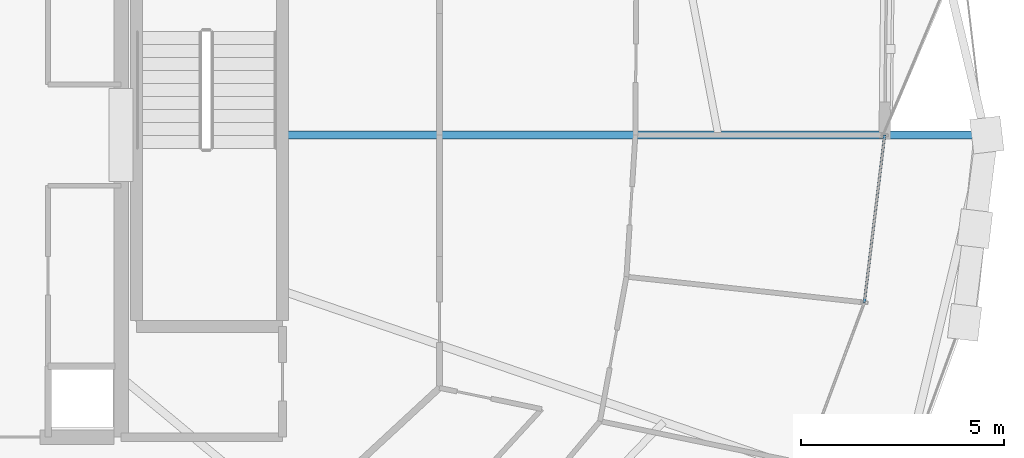
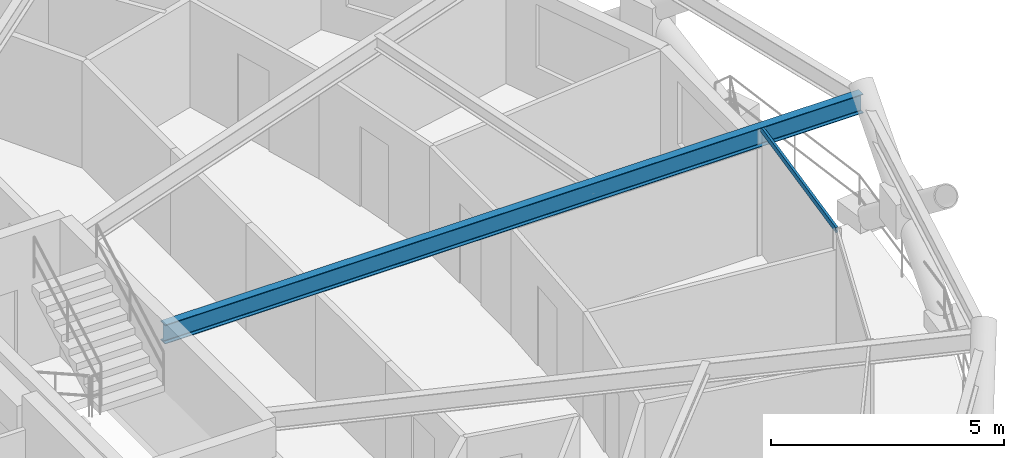
# One storey, part 9 of 20: 1 beam, 1 member, 1 element without a shape of its own.
"""IFC4 building model written with IfcOpenShell, lengths in metres."""

from ifc_helpers import new_model, si_unit, direction, frame, origin, origin_2d, place, context, subcontext, project, spatial, hollow_rectangle, i_section, extrude, material, layer, layer_set, material_profile, profile_set, type_object, element, aggregate, save


model = new_model("IFC4")

# Units and contexts
model_context = context("Model", 3, precision=1e-05, world=origin(), true_north=direction((0.0, 1.0)))
body_context = subcontext(model_context, "Body", "Model", "MODEL_VIEW")
ifc_project = project(units=[si_unit("LENGTHUNIT", "METRE"), si_unit("AREAUNIT", "SQUARE_METRE"), si_unit("VOLUMEUNIT", "CUBIC_METRE"), si_unit("PLANEANGLEUNIT", "RADIAN"), si_unit("MASSUNIT", "GRAM", prefix="KILO")], contexts=[model_context])

# Site, building, storey
site_placement = place(None, origin())
site = spatial("IfcSite", under=ifc_project, at=site_placement, CompositionType="ELEMENT")
building_placement = place(site_placement, origin())
building = spatial("IfcBuilding", under=site, at=building_placement, Name="Veldorina Hangang Commons", CompositionType="ELEMENT")
storey_placement = place(building_placement, frame((0.0, 0.0, 131.60009765625)))
storey = spatial("IfcBuildingStorey", under=building, at=storey_placement, Name="L33", CompositionType="ELEMENT", Elevation=131.60009765625)

# Beam
ifc_material_1 = material(Name="Steel SM420-TMC", Category="steel")
ifc_material_profile_1 = material_profile(ifc_material_1, i_section(OverallWidth=0.199951171875, OverallDepth=0.5, WebThickness=0.010009765625, FlangeThickness=0.01611328125, FilletRadius=0.01611328125, at=origin_2d()), Name="H-500x200x10x16")
ifc_profile_set_1 = profile_set([ifc_material_profile_1], Name="Steel SM420-TMC")
beam_type = type_object("IfcBeamType", Name="BM-FG500", PredefinedType="BEAM", material=ifc_profile_set_1)
beam_placement = place(storey_placement, frame((43.179931640625, 24.0, 3.099853515625), z_axis=(1.0, 0.0, 0.0), x_axis=(0.0, 1.0, 0.0)))
element("IfcBeam", 1, at=beam_placement, inside=storey, type_object=beam_type, Name="L33 radial floor girder 01", PredefinedType="BEAM", context=body_context, shape_type="SweptSolid", body=[
    extrude(i_section(OverallWidth=0.199951171875, OverallDepth=0.5, WebThickness=0.010009765625, FlangeThickness=0.01611328125, FilletRadius=0.01611328125, at=origin_2d()), origin(), (0.0, 0.0, 1.0), 17.3271484375),
])

# Curtain wall, member
ifc_material_2 = material(Name="Glass Low-E Triple IGU", Category="glass")
ifc_layer = layer(ifc_material_2, 0.179931640625)
ifc_layer_set = layer_set([ifc_layer], Name="Glass Low-E Triple IGU")
curtain_wall_type = type_object("IfcCurtainWallType", Name="CW-SYS-Z2", PredefinedType="NOTDEFINED", material=ifc_layer_set)
curtain_wall_placement = place(storey_placement, origin())
curtain_wall = element("IfcCurtainWall", 2, at=curtain_wall_placement, inside=storey, type_object=curtain_wall_type, Name="L33 unitised curtain wall CW-L33-R2", PredefinedType="NOTDEFINED")
ifc_material_3 = material(Name="Aluminium Anodized AA6063-T6", Category="aluminium")
ifc_material_profile_2 = material_profile(ifc_material_3, hollow_rectangle(XDim=0.06005859375, YDim=0.139892578125, WallThickness=0.00341796875, at=origin_2d()), Name="ALU-RHS-140x60x3.5")
ifc_profile_set_2 = profile_set([ifc_material_profile_2], Name="Aluminium Anodized AA6063-T6")
member_type = type_object("IfcMemberType", Name="CW-TRN-140", PredefinedType="USERDEFINED", material=ifc_profile_set_2)
member_placement = place(storey_placement, frame((57.523681640625, 19.871826171875, 3.27001953125), z_axis=(0.120240192234, 0.992744829335, 0.0), x_axis=(-0.992744829335, 0.120240192234, 0.0)))
member = element("IfcMember", 3, at=member_placement, type_object=member_type, Name="CW-L33-R2 facet 5 transom 1", ObjectType="TRANSOM", PredefinedType="USERDEFINED", context=body_context, shape_type="SweptSolid", body=[
    extrude(hollow_rectangle(XDim=0.06005859375, YDim=0.139892578125, WallThickness=0.00341796875, at=origin_2d()), origin(), (0.0, 0.0, 1.0), 4.158447265625),
])
aggregate(curtain_wall, [member])

save(model, "model.ifc")
